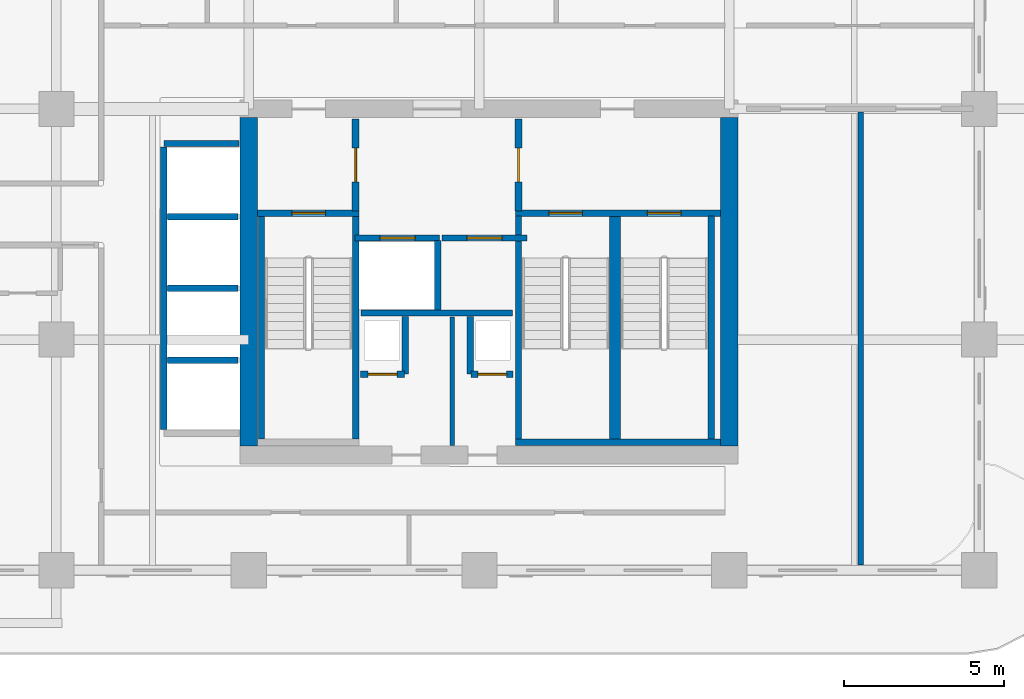
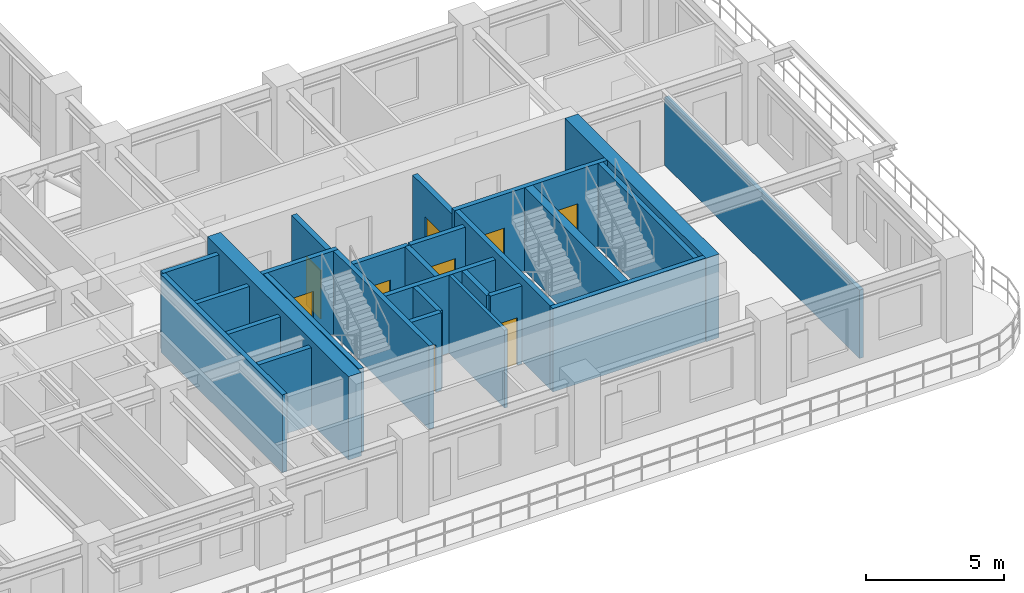
# One storey, part 13 of 21: 27 walls, 9 doors, 9 openings.
"""IFC4 building model written with IfcOpenShell, lengths in metres."""

from ifc_helpers import new_model, si_unit, derived_unit, direction, frame, frame_2d, origin, place, context, subcontext, project, spatial, rectangle, extrude, source, transform, mapped, material, layer, layer_set, type_object, type_shapes, element, fill, save


model = new_model("IFC4")

# Units and contexts
model_context = context("Model", 3, precision=1e-05, world=origin(), true_north=direction((0.0, 1.0)))
body_context = subcontext(model_context, "Body", "Model", "MODEL_VIEW")
ifc_project = project(units=[si_unit("LENGTHUNIT", "METRE"), si_unit("AREAUNIT", "SQUARE_METRE"), si_unit("VOLUMEUNIT", "CUBIC_METRE"), si_unit("PLANEANGLEUNIT", "RADIAN"), si_unit("MASSUNIT", "GRAM", prefix="KILO"), si_unit("THERMODYNAMICTEMPERATUREUNIT", "KELVIN"), si_unit("POWERUNIT", "WATT"), derived_unit("THERMALTRANSMITTANCEUNIT", [(si_unit("POWERUNIT", "WATT"), 1), (si_unit("AREAUNIT", "SQUARE_METRE"), -1), (si_unit("THERMODYNAMICTEMPERATUREUNIT", "KELVIN"), -1)])], contexts=[model_context])

# Site, building, storey
site_placement = place(None, origin())
site = spatial("IfcSite", under=ifc_project, at=site_placement, CompositionType="ELEMENT")
building_placement = place(site_placement, origin())
building = spatial("IfcBuilding", under=site, at=building_placement, Name="Zahravan Archway Hotel and Residences", CompositionType="ELEMENT")
storey_placement = place(building_placement, frame((0.0, 0.0, 69.39990234375)))
storey = spatial("IfcBuildingStorey", under=building, at=storey_placement, Name="L16", CompositionType="ELEMENT", Elevation=69.39990234375)

# Walls
ifc_material_1 = material(Name="Concrete C70/85", Category="concrete")
ifc_layer_1 = layer(ifc_material_1, 0.550048828125, Name="Concrete C70/85", Category="concrete")
ifc_layer_set_1 = layer_set([ifc_layer_1], Name="Concrete C70/85")
wall_type_1 = type_object("IfcWallType", Name="CW-CORE-550", PredefinedType="SHEAR", material=ifc_layer_set_1)
for number, where, z_axis, x_axis, name in (
    (1, (34.800048828125, 3.875, 0.0), (0.0, 0.0, 1.0), (0.0, 1.0, 0.0), "L16 Core A Shear W Wall 550 mm"),
    (2, (49.800048828125, 3.875, 0.0), (0.0, 0.0, 1.0), (0.0, 1.0, 0.0), "L16 Core A Shear E Wall 550 mm"),
):
    element("IfcWall", number, at=place(storey_placement, frame(where, z_axis=z_axis, x_axis=x_axis)), inside=storey, type_object=wall_type_1, Name=name, PredefinedType="SHEAR", context=body_context, shape_type="SweptSolid", body=[
        extrude(rectangle(XDim=10.25, YDim=0.550048828125, at=frame_2d((5.125, 0.0))), origin(), (0.0, 0.0, 1.0), 3.7001953125),
    ])

# Wall, opening, door
ifc_material_2 = material(Name="Fire-Rated Gypsum & Concrete Block", Category="concrete")
ifc_layer_2 = layer(ifc_material_2, 0.219970703125, Name="Fire-Rated Gypsum & Concrete Block", Category="concrete")
ifc_layer_set_2 = layer_set([ifc_layer_2], Name="Fire-Rated Gypsum & Concrete Block")
wall_type_2 = type_object("IfcWallType", Name="PW-COMP-220", PredefinedType="PARTITIONING", material=ifc_layer_set_2)
wall_1_placement = place(storey_placement, frame((38.139892578125, 11.219970703125, 0.0), z_axis=(0.0, 0.0, 1.0), x_axis=(0.0, 1.0, 0.0)))
wall_1 = element("IfcWall", 3, at=wall_1_placement, inside=storey, type_object=wall_type_2, Name="L16 Partition CA-LOBW", PredefinedType="PARTITIONING", context=body_context, shape_type="SweptSolid", body=[
    extrude(rectangle(XDim=2.860107421875, YDim=0.219970703125, at=frame_2d((1.43017578125, 0.0))), origin(), (0.0, 0.0, 1.0), 3.4501953125),
])
opening_1_placement = place(wall_1_placement, frame((0.905029296875, 0.0, 0.0)))
opening_1 = element("IfcOpeningElement", 4, at=opening_1_placement, cuts=wall_1, Name="Opening FD-L2", PredefinedType="OPENING", context=body_context, shape_type="SweptSolid", body=[
    extrude(rectangle(XDim=1.050048828125, YDim=2.14990234375, at=frame_2d((0.52490234375, 1.074951171875))), frame((0.0, 0.1201171875, 0.0), z_axis=(0.0, -1.0, 0.0), x_axis=(1.0, 0.0, 0.0)), (0.0, 0.0, 1.0), 0.239990234375),
])
ifc_material_3 = material(Name="Fire-Rated Painted Steel", Category="steel")
door_type_1 = type_object("IfcDoorType", Name="FD-LOBBY-1100", OperationType="NOTDEFINED", PredefinedType="DOOR", material=ifc_material_3)
shared_shape_1 = source(origin(), body_context, "Body", "SweptSolid", [
    extrude(rectangle(XDim=1.050048828125, YDim=2.14990234375, at=frame_2d((0.52490234375, 1.074951171875))), frame((0.0, 0.02490234375, 0.0), z_axis=(0.0, -1.0, 0.0), x_axis=(1.0, 0.0, 0.0)), (0.0, 0.0, 1.0), 0.050048828125),
])
type_shapes(door_type_1, [shared_shape_1])
door_1_placement = place(opening_1_placement, origin())
door_1 = element("IfcDoor", 5, at=door_1_placement, inside=storey, type_object=door_type_1, Name="L16 Core A West Stair to FSAE Lobby Door", OperationType="SINGLE_SWING_RIGHT", OverallHeight=2.14990234375, OverallWidth=1.050048828125, PredefinedType="DOOR", context=body_context, shape_type="MappedRepresentation", body=[
    mapped(shared_shape_1, transform((0.0, 0.0, 0.0), scale=1.0)),
])
fill(opening_1, door_1)

wall_2_placement = place(storey_placement, frame((43.219970703125, 11.219970703125, 0.0), z_axis=(0.0, 0.0, 1.0), x_axis=(0.0, 1.0, 0.0)))
wall_2 = element("IfcWall", 6, at=wall_2_placement, inside=storey, type_object=wall_type_2, Name="L16 Partition CA-LOBE", PredefinedType="PARTITIONING", context=body_context, shape_type="SweptSolid", body=[
    extrude(rectangle(XDim=2.860107421875, YDim=0.219970703125, at=frame_2d((1.43017578125, 0.0))), origin(), (0.0, 0.0, 1.0), 3.4501953125),
])
opening_2_placement = place(wall_2_placement, frame((0.905029296875, 0.0, 0.0)))
opening_2 = element("IfcOpeningElement", 7, at=opening_2_placement, cuts=wall_2, Name="Opening FD-L2", PredefinedType="OPENING", context=body_context, shape_type="SweptSolid", body=[
    extrude(rectangle(XDim=1.050048828125, YDim=2.14990234375, at=frame_2d((0.52490234375, 1.074951171875))), frame((0.0, 0.1201171875, 0.0), z_axis=(0.0, -1.0, 0.0), x_axis=(1.0, 0.0, 0.0)), (0.0, 0.0, 1.0), 0.239990234375),
])
door_2_placement = place(opening_2_placement, origin())
door_2 = element("IfcDoor", 8, at=door_2_placement, inside=storey, type_object=door_type_1, Name="L16 Core A East Stair to FSAE Lobby Door", OperationType="SINGLE_SWING_LEFT", OverallHeight=2.14990234375, OverallWidth=1.050048828125, PredefinedType="DOOR", context=body_context, shape_type="MappedRepresentation", body=[
    mapped(shared_shape_1, transform((0.0, 0.0, 0.0), scale=1.0)),
])
fill(opening_2, door_2)

# Walls
ifc_layer_3 = layer(ifc_material_2, 0.199951171875, Name="Fire-Rated Gypsum & Concrete Block", Category="concrete")
ifc_layer_set_3 = layer_set([ifc_layer_3], Name="Fire-Rated Gypsum & Concrete Block")
wall_type_3 = type_object("IfcWallType", Name="PW-SHAFT-200", PredefinedType="PARTITIONING", material=ifc_layer_set_3)
wall_3_placement = place(storey_placement, frame((38.300048828125, 8.030029296875, 0.0), z_axis=(0.0, 0.0, 1.0), x_axis=(1.0, 0.0, 0.0)))
element("IfcWall", 9, at=wall_3_placement, inside=storey, type_object=wall_type_3, Name="L16 Partition CA-FLS", PredefinedType="PARTITIONING", context=body_context, shape_type="SweptSolid", body=[
    extrude(rectangle(XDim=4.739990234375, YDim=0.199951171875, at=frame_2d((2.3701171875, 0.0))), origin(), (0.0, 0.0, 1.0), 3.4501953125),
])
wall_4_placement = place(storey_placement, frame((40.699951171875, 8.1201171875, 0.0), z_axis=(0.0, 0.0, 1.0), x_axis=(0.0, 1.0, 0.0)))
element("IfcWall", 10, at=wall_4_placement, inside=storey, type_object=wall_type_3, Name="L16 Partition CA-FLM", PredefinedType="PARTITIONING", context=body_context, shape_type="SweptSolid", body=[
    extrude(rectangle(XDim=2.179931640625, YDim=0.199951171875, at=frame_2d((1.08984375, 0.0))), origin(), (0.0, 0.0, 1.0), 3.4501953125),
])

# Wall, opening, door
wall_5_placement = place(storey_placement, frame((38.2900390625, 6.1201171875, 0.0), z_axis=(0.0, 0.0, 1.0), x_axis=(1.0, 0.0, 0.0)))
wall_5 = element("IfcWall", 11, at=wall_5_placement, inside=storey, type_object=wall_type_3, Name="L16 Partition CA-SMKS", PredefinedType="PARTITIONING", context=body_context, shape_type="SweptSolid", body=[
    extrude(rectangle(XDim=1.3798828125, YDim=0.199951171875, at=frame_2d((0.68994140625, 0.0))), origin(), (0.0, 0.0, 1.0), 3.4501953125),
])
opening_3_placement = place(wall_5_placement, frame((0.239990234375, 0.0, 0.0)))
opening_3 = element("IfcOpeningElement", 12, at=opening_3_placement, cuts=wall_5, Name="Opening FD-R1", PredefinedType="OPENING", context=body_context, shape_type="SweptSolid", body=[
    extrude(rectangle(XDim=0.89990234375, YDim=2.10009765625, at=frame_2d((0.449951171875, 1.050048828125))), frame((0.0, 0.10986328125, 0.0), z_axis=(0.0, -1.0, 0.0), x_axis=(1.0, 0.0, 0.0)), (0.0, 0.0, 1.0), 0.219970703125),
])
door_type_2 = type_object("IfcDoorType", Name="FD-RISER-900", OperationType="NOTDEFINED", PredefinedType="DOOR", material=ifc_material_3)
shared_shape_2 = source(origin(), body_context, "Body", "SweptSolid", [
    extrude(rectangle(XDim=0.89990234375, YDim=2.10009765625, at=frame_2d((0.449951171875, 1.050048828125))), frame((0.0, 0.02490234375, 0.0), z_axis=(0.0, -1.0, 0.0), x_axis=(1.0, 0.0, 0.0)), (0.0, 0.0, 1.0), 0.050048828125),
])
type_shapes(door_type_2, [shared_shape_2])
door_3_placement = place(opening_3_placement, origin())
door_3 = element("IfcDoor", 13, at=door_3_placement, inside=storey, type_object=door_type_2, Name="L16 Smoke Riser Access Door", OperationType="SINGLE_SWING_RIGHT", OverallHeight=2.10009765625, OverallWidth=0.89990234375, PredefinedType="DOOR", context=body_context, shape_type="MappedRepresentation", body=[
    mapped(shared_shape_2, transform((0.0, 0.0, 0.0), scale=1.0)),
])
fill(opening_3, door_3)

# Wall
wall_6_placement = place(storey_placement, frame((39.679931640625, 6.1298828125, 0.0), z_axis=(0.0, 0.0, 1.0), x_axis=(0.0, 1.0, 0.0)))
element("IfcWall", 14, at=wall_6_placement, inside=storey, type_object=wall_type_3, Name="L16 Partition CA-SMKE", PredefinedType="PARTITIONING", context=body_context, shape_type="SweptSolid", body=[
    extrude(rectangle(XDim=1.7900390625, YDim=0.199951171875, at=frame_2d((0.89501953125, 0.0))), origin(), (0.0, 0.0, 1.0), 3.4501953125),
])

# Wall, opening, door
wall_7_placement = place(storey_placement, frame((41.72998046875, 6.1201171875, 0.0), z_axis=(0.0, 0.0, 1.0), x_axis=(1.0, 0.0, 0.0)))
wall_7 = element("IfcWall", 15, at=wall_7_placement, inside=storey, type_object=wall_type_3, Name="L16 Partition CA-MEPS", PredefinedType="PARTITIONING", context=body_context, shape_type="SweptSolid", body=[
    extrude(rectangle(XDim=1.320068359375, YDim=0.199951171875, at=frame_2d((0.66015625, 0.0))), origin(), (0.0, 0.0, 1.0), 3.4501953125),
])
opening_4_placement = place(wall_7_placement, frame((0.219970703125, 0.0, 0.0)))
opening_4 = element("IfcOpeningElement", 16, at=opening_4_placement, cuts=wall_7, Name="Opening FD-R1", PredefinedType="OPENING", context=body_context, shape_type="SweptSolid", body=[
    extrude(rectangle(XDim=0.89990234375, YDim=2.10009765625, at=frame_2d((0.449951171875, 1.050048828125))), frame((0.0, 0.10986328125, 0.0), z_axis=(0.0, -1.0, 0.0), x_axis=(1.0, 0.0, 0.0)), (0.0, 0.0, 1.0), 0.219970703125),
])
door_4_placement = place(opening_4_placement, origin())
door_4 = element("IfcDoor", 17, at=door_4_placement, inside=storey, type_object=door_type_2, Name="L16 MEP Riser Access Door", OperationType="SINGLE_SWING_LEFT", OverallHeight=2.10009765625, OverallWidth=0.89990234375, PredefinedType="DOOR", context=body_context, shape_type="MappedRepresentation", body=[
    mapped(shared_shape_2, transform((0.0, 0.0, 0.0), scale=1.0)),
])
fill(opening_4, door_4)

# Walls
wall_8_placement = place(storey_placement, frame((41.719970703125, 6.1298828125, 0.0), z_axis=(0.0, 0.0, 1.0), x_axis=(0.0, 1.0, 0.0)))
element("IfcWall", 18, at=wall_8_placement, inside=storey, type_object=wall_type_3, Name="L16 Partition CA-MEPW", PredefinedType="PARTITIONING", context=body_context, shape_type="SweptSolid", body=[
    extrude(rectangle(XDim=1.7900390625, YDim=0.199951171875, at=frame_2d((0.89501953125, 0.0))), origin(), (0.0, 0.0, 1.0), 3.4501953125),
])
wall_9_placement = place(storey_placement, frame((32.159912109375, 13.320068359375, 0.0), z_axis=(0.0, 0.0, 1.0), x_axis=(1.0, 0.0, 0.0)))
element("IfcWall", 19, at=wall_9_placement, inside=storey, type_object=wall_type_3, Name="L16 Partition B3-N", PredefinedType="PARTITIONING", context=body_context, shape_type="SweptSolid", body=[
    extrude(rectangle(XDim=2.335205078125, YDim=0.199951171875, at=frame_2d((1.16748046875, 0.0))), origin(), (0.0, 0.0, 1.0), 3.4501953125),
])
wall_10_placement = place(storey_placement, frame((32.14990234375, 4.389892578125, 0.0), z_axis=(0.0, 0.0, 1.0), x_axis=(0.0, 1.0, 0.0)))
element("IfcWall", 20, at=wall_10_placement, inside=storey, type_object=wall_type_3, Name="L16 Partition B3-W", PredefinedType="PARTITIONING", context=body_context, shape_type="SweptSolid", body=[
    extrude(rectangle(XDim=8.820068359375, YDim=0.199951171875, at=frame_2d((4.41015625, 0.0))), origin(), (0.0, 0.0, 1.0), 3.4501953125),
])
for number, where, z_axis, x_axis, name in (
    (21, (32.260009765625, 6.56005859375, 0.0), (0.0, 0.0, 1.0), (1.0, 0.0, 0.0), "L16 Partition B3-D"),
    (22, (32.260009765625, 8.800048828125, 0.0), (0.0, 0.0, 1.0), (1.0, 0.0, 0.0), "L16 Partition B3-D"),
    (23, (32.260009765625, 11.0400390625, 0.0), (0.0, 0.0, 1.0), (1.0, 0.0, 0.0), "L16 Partition B3-D"),
):
    element("IfcWall", number, at=place(storey_placement, frame(where, z_axis=z_axis, x_axis=x_axis)), inside=storey, type_object=wall_type_3, Name=name, PredefinedType="PARTITIONING", context=body_context, shape_type="SweptSolid", body=[
        extrude(rectangle(XDim=2.205078125, YDim=0.199951171875, at=frame_2d((1.1025390625, 0.0))), origin(), (0.0, 0.0, 1.0), 3.4501953125),
    ])

# Wall, opening, door
wall_11_placement = place(storey_placement, frame((38.1201171875, 10.3701171875, 0.0), z_axis=(0.0, 0.0, 1.0), x_axis=(1.0, 0.0, 0.0)))
wall_11 = element("IfcWall", 24, at=wall_11_placement, inside=storey, type_object=wall_type_3, Name="L16 Lift FL-1 Front Wall", PredefinedType="PARTITIONING", context=body_context, shape_type="SweptSolid", body=[
    extrude(rectangle(XDim=2.639892578125, YDim=0.199951171875, at=frame_2d((1.31982421875, 0.0))), origin(), (0.0, 0.0, 1.0), 3.4501953125),
])
opening_5_placement = place(wall_11_placement, frame((0.77001953125, 0.0, 0.0)))
opening_5 = element("IfcOpeningElement", 25, at=opening_5_placement, cuts=wall_11, Name="Opening LD", PredefinedType="OPENING", context=body_context, shape_type="SweptSolid", body=[
    extrude(rectangle(XDim=1.10009765625, YDim=2.199951171875, at=frame_2d((0.550048828125, 1.10009765625))), frame((0.0, 0.10986328125, 0.0), z_axis=(0.0, -1.0, 0.0), x_axis=(1.0, 0.0, 0.0)), (0.0, 0.0, 1.0), 0.219970703125),
])
ifc_material_4 = material(Name="Brushed Stainless Steel", Category="steel")
door_type_3 = type_object("IfcDoorType", Name="DR-LIFT-LD", OperationType="SLIDING_TO_LEFT", PredefinedType="DOOR", material=ifc_material_4)
shared_shape_3 = source(origin(), body_context, "Body", "SweptSolid", [
    extrude(rectangle(XDim=1.10009765625, YDim=2.199951171875, at=frame_2d((0.550048828125, 1.10009765625))), frame((0.0, 0.02490234375, 0.0), z_axis=(0.0, -1.0, 0.0), x_axis=(1.0, 0.0, 0.0)), (0.0, 0.0, 1.0), 0.050048828125),
])
type_shapes(door_type_3, [shared_shape_3])
door_5_placement = place(opening_5_placement, origin())
door_5 = element("IfcDoor", 26, at=door_5_placement, inside=storey, type_object=door_type_3, Name="L16 Lift FL-1 Sliding Landing Door", OperationType="SLIDING_TO_LEFT", OverallHeight=2.199951171875, OverallWidth=1.10009765625, PredefinedType="DOOR", context=body_context, shape_type="MappedRepresentation", body=[
    mapped(shared_shape_3, transform((0.0, 0.0, 0.0), scale=1.0)),
])
fill(opening_5, door_5)

wall_12_placement = place(storey_placement, frame((40.840087890625, 10.3701171875, 0.0), z_axis=(0.0, 0.0, 1.0), x_axis=(1.0, 0.0, 0.0)))
wall_12 = element("IfcWall", 27, at=wall_12_placement, inside=storey, type_object=wall_type_3, Name="L16 Lift FL-2 Front Wall", PredefinedType="PARTITIONING", context=body_context, shape_type="SweptSolid", body=[
    extrude(rectangle(XDim=2.639892578125, YDim=0.199951171875, at=frame_2d((1.31982421875, 0.0))), origin(), (0.0, 0.0, 1.0), 3.4501953125),
])
opening_6_placement = place(wall_12_placement, frame((0.77001953125, 0.0, 0.0)))
opening_6 = element("IfcOpeningElement", 28, at=opening_6_placement, cuts=wall_12, Name="Opening LD", PredefinedType="OPENING", context=body_context, shape_type="SweptSolid", body=[
    extrude(rectangle(XDim=1.10009765625, YDim=2.199951171875, at=frame_2d((0.550048828125, 1.10009765625))), frame((0.0, 0.10986328125, 0.0), z_axis=(0.0, -1.0, 0.0), x_axis=(1.0, 0.0, 0.0)), (0.0, 0.0, 1.0), 0.219970703125),
])
door_6_placement = place(opening_6_placement, origin())
door_6 = element("IfcDoor", 29, at=door_6_placement, inside=storey, type_object=door_type_3, Name="L16 Lift FL-2 Sliding Landing Door", OperationType="SLIDING_TO_LEFT", OverallHeight=2.199951171875, OverallWidth=1.10009765625, PredefinedType="DOOR", context=body_context, shape_type="MappedRepresentation", body=[
    mapped(shared_shape_3, transform((0.0, 0.0, 0.0), scale=1.0)),
])
fill(opening_6, door_6)

# Walls
ifc_material_5 = material(Name="Acoustic Stud Partition")
ifc_layer_4 = layer(ifc_material_5, 0.169921875, Name="Acoustic Stud Partition")
ifc_layer_set_4 = layer_set([ifc_layer_4], Name="Acoustic Stud Partition")
wall_type_4 = type_object("IfcWallType", Name="PW-UNIT-170", PredefinedType="PARTITIONING", material=ifc_layer_set_4)
wall_13_placement = place(storey_placement, frame((53.89990234375, 0.16796875, 0.0), z_axis=(0.0, 0.0, 1.0), x_axis=(0.0, 1.0, 0.0)))
element("IfcWall", 30, at=wall_13_placement, inside=storey, type_object=wall_type_4, Name="L16 Partition EA-EV", PredefinedType="PARTITIONING", context=body_context, shape_type="SweptSolid", body=[
    extrude(rectangle(XDim=14.14208984375, YDim=0.169921875, at=frame_2d((7.071044921875, 0.0))), origin(), (0.0, 0.0, 1.0), 3.03515625),
])
ifc_material_6 = material(Name="Moisture-Resistant Blockwork", Category="masonry")
ifc_layer_5 = layer(ifc_material_6, 0.139892578125, Name="Moisture-Resistant Blockwork", Category="masonry")
ifc_layer_set_5 = layer_set([ifc_layer_5], Name="Moisture-Resistant Blockwork")
wall_type_5 = type_object("IfcWallType", Name="PW-WET-140", PredefinedType="PARTITIONING", material=ifc_layer_set_5)
wall_14_placement = place(storey_placement, frame((41.14990234375, 3.89501953125, 0.0), z_axis=(0.0, 0.0, 1.0), x_axis=(0.0, 1.0, 0.0)))
element("IfcWall", 31, at=wall_14_placement, inside=storey, type_object=wall_type_5, Name="L16 Partition CA-CV2V", PredefinedType="PARTITIONING", context=body_context, shape_type="SweptSolid", body=[
    extrude(rectangle(XDim=4.014892578125, YDim=0.139892578125, at=frame_2d((2.00732421875, 0.0))), origin(), (0.0, 0.0, 1.0), 3.4501953125),
])
ifc_material_7 = material(Name="Concrete C50/60", Category="concrete")
ifc_layer_6 = layer(ifc_material_7, 0.199951171875, Name="Concrete C50/60", Category="concrete")
ifc_layer_set_6 = layer_set([ifc_layer_6], Name="Concrete C50/60")
wall_type_6 = type_object("IfcWallType", Name="SW-STAIR-200", PredefinedType="SHEAR", material=ifc_layer_set_6)
for number, where, z_axis, x_axis, name in (
    (32, (35.199951171875, 4.10009765625, 0.0), (0.0, 0.0, 1.0), (0.0, 1.0, 0.0), "L16 Stairwell RC Wall CA-SA1W"),
    (33, (38.139892578125, 4.10009765625, 0.0), (0.0, 0.0, 1.0), (0.0, 1.0, 0.0), "L16 Stairwell RC Wall CA-SA1E"),
):
    element("IfcWall", number, at=place(storey_placement, frame(where, z_axis=z_axis, x_axis=x_axis)), inside=storey, type_object=wall_type_6, Name=name, PredefinedType="SHEAR", context=body_context, shape_type="SweptSolid", body=[
        extrude(rectangle(XDim=6.949951171875, YDim=0.199951171875, at=frame_2d((3.47509765625, 0.0))), origin(), (0.0, 0.0, 1.0), 3.7001953125),
    ])

# Wall, opening, door
wall_15_placement = place(storey_placement, frame((35.074951171875, 11.14990234375, 0.0), z_axis=(0.0, 0.0, 1.0), x_axis=(1.0, 0.0, 0.0)))
wall_15 = element("IfcWall", 34, at=wall_15_placement, inside=storey, type_object=wall_type_6, Name="L16 Stairwell RC Wall CA-SA1N", PredefinedType="SHEAR", context=body_context, shape_type="SweptSolid", body=[
    extrude(rectangle(XDim=3.1650390625, YDim=0.199951171875, at=frame_2d((1.58251953125, 0.0))), origin(), (0.0, 0.0, 1.0), 3.7001953125),
])
opening_7_placement = place(wall_15_placement, frame((1.070068359375, 0.0, 0.0)))
opening_7 = element("IfcOpeningElement", 35, at=opening_7_placement, cuts=wall_15, Name="Opening FD-S1", PredefinedType="OPENING", context=body_context, shape_type="SweptSolid", body=[
    extrude(rectangle(XDim=1.050048828125, YDim=2.199951171875, at=frame_2d((0.52490234375, 1.10009765625))), frame((0.0, 0.10986328125, 0.0), z_axis=(0.0, -1.0, 0.0), x_axis=(1.0, 0.0, 0.0)), (0.0, 0.0, 1.0), 0.219970703125),
])
door_type_4 = type_object("IfcDoorType", Name="FD-STAIR-1100", OperationType="NOTDEFINED", PredefinedType="DOOR", material=ifc_material_3)
shared_shape_4 = source(origin(), body_context, "Body", "SweptSolid", [
    extrude(rectangle(XDim=1.050048828125, YDim=2.199951171875, at=frame_2d((0.52490234375, 1.10009765625))), frame((0.0, 0.02490234375, 0.0), z_axis=(0.0, -1.0, 0.0), x_axis=(1.0, 0.0, 0.0)), (0.0, 0.0, 1.0), 0.050048828125),
])
type_shapes(door_type_4, [shared_shape_4])
door_7_placement = place(opening_7_placement, origin())
door_7 = element("IfcDoor", 36, at=door_7_placement, inside=storey, type_object=door_type_4, Name="L16 Stair ST-A1 Door", OperationType="SINGLE_SWING_LEFT", OverallHeight=2.199951171875, OverallWidth=1.050048828125, PredefinedType="DOOR", context=body_context, shape_type="MappedRepresentation", body=[
    mapped(shared_shape_4, transform((0.0, 0.0, 0.0), scale=1.0)),
])
fill(opening_7, door_7)

# Walls
wall_16_placement = place(storey_placement, frame((43.1201171875, 4.0, 0.0), z_axis=(0.0, 0.0, 1.0), x_axis=(1.0, 0.0, 0.0)))
element("IfcWall", 37, at=wall_16_placement, inside=storey, type_object=wall_type_6, Name="L16 Stairwell RC Wall CA-SA23S", PredefinedType="SHEAR", context=body_context, shape_type="SweptSolid", body=[
    extrude(rectangle(XDim=6.40478515625, YDim=0.199951171875, at=frame_2d((3.202392578125, 0.0))), origin(), (0.0, 0.0, 1.0), 3.7001953125),
])
for number, where, z_axis, x_axis, name in (
    (38, (43.219970703125, 4.10009765625, 0.0), (0.0, 0.0, 1.0), (0.0, 1.0, 0.0), "L16 Stairwell RC Wall CA-SA2W"),
    (39, (49.239990234375, 4.10009765625, 0.0), (0.0, 0.0, 1.0), (0.0, 1.0, 0.0), "L16 Stairwell RC Wall CA-SA3E"),
):
    element("IfcWall", number, at=place(storey_placement, frame(where, z_axis=z_axis, x_axis=x_axis)), inside=storey, type_object=wall_type_6, Name=name, PredefinedType="SHEAR", context=body_context, shape_type="SweptSolid", body=[
        extrude(rectangle(XDim=6.949951171875, YDim=0.199951171875, at=frame_2d((3.47509765625, 0.0))), origin(), (0.0, 0.0, 1.0), 3.7001953125),
    ])

# Wall, openings, doors
wall_17_placement = place(storey_placement, frame((43.1201171875, 11.14990234375, 0.0), z_axis=(0.0, 0.0, 1.0), x_axis=(1.0, 0.0, 0.0)))
wall_17 = element("IfcWall", 40, at=wall_17_placement, inside=storey, type_object=wall_type_6, Name="L16 Stairwell RC Wall CA-SA23N", PredefinedType="SHEAR", context=body_context, shape_type="SweptSolid", body=[
    extrude(rectangle(XDim=6.40478515625, YDim=0.199951171875, at=frame_2d((3.202392578125, 0.0))), origin(), (0.0, 0.0, 1.0), 3.7001953125),
])
opening_8_placement = place(wall_17_placement, frame((1.044921875, 0.0, 0.0)))
opening_8 = element("IfcOpeningElement", 41, at=opening_8_placement, cuts=wall_17, Name="Opening FD-S1", PredefinedType="OPENING", context=body_context, shape_type="SweptSolid", body=[
    extrude(rectangle(XDim=1.050048828125, YDim=2.199951171875, at=frame_2d((0.52490234375, 1.10009765625))), frame((0.0, 0.10986328125, 0.0), z_axis=(0.0, -1.0, 0.0), x_axis=(1.0, 0.0, 0.0)), (0.0, 0.0, 1.0), 0.219970703125),
])
opening_9_placement = place(wall_17_placement, frame((4.125, 0.0, 0.0)))
opening_9 = element("IfcOpeningElement", 42, at=opening_9_placement, cuts=wall_17, Name="Opening FD-S1", PredefinedType="OPENING", context=body_context, shape_type="SweptSolid", body=[
    extrude(rectangle(XDim=1.050048828125, YDim=2.199951171875, at=frame_2d((0.52490234375, 1.10009765625))), frame((0.0, 0.10986328125, 0.0), z_axis=(0.0, -1.0, 0.0), x_axis=(1.0, 0.0, 0.0)), (0.0, 0.0, 1.0), 0.219970703125),
])
door_8_placement = place(opening_8_placement, origin())
door_8 = element("IfcDoor", 43, at=door_8_placement, inside=storey, type_object=door_type_4, Name="L16 Stair ST-A2 Door", OperationType="SINGLE_SWING_RIGHT", OverallHeight=2.199951171875, OverallWidth=1.050048828125, PredefinedType="DOOR", context=body_context, shape_type="MappedRepresentation", body=[
    mapped(shared_shape_4, transform((0.0, 0.0, 0.0), scale=1.0)),
])
fill(opening_8, door_8)
door_9_placement = place(opening_9_placement, origin())
door_9 = element("IfcDoor", 44, at=door_9_placement, inside=storey, type_object=door_type_4, Name="L16 Stair ST-A3 Door", OperationType="SINGLE_SWING_LEFT", OverallHeight=2.199951171875, OverallWidth=1.050048828125, PredefinedType="DOOR", context=body_context, shape_type="MappedRepresentation", body=[
    mapped(shared_shape_4, transform((0.0, 0.0, 0.0), scale=1.0)),
])
fill(opening_9, door_9)

# Wall
ifc_layer_7 = layer(ifc_material_7, 0.340087890625, Name="Concrete C50/60", Category="concrete")
ifc_layer_set_7 = layer_set([ifc_layer_7], Name="Concrete C50/60")
wall_type_7 = type_object("IfcWallType", Name="SW-STAIR-340", PredefinedType="SHEAR", material=ifc_layer_set_7)
wall_18_placement = place(storey_placement, frame((46.22998046875, 4.10009765625, 0.0), z_axis=(0.0, 0.0, 1.0), x_axis=(0.0, 1.0, 0.0)))
element("IfcWall", 45, at=wall_18_placement, inside=storey, type_object=wall_type_7, Name="L16 Stairwell RC Wall CA-SA23M", PredefinedType="SHEAR", context=body_context, shape_type="SweptSolid", body=[
    extrude(rectangle(XDim=6.949951171875, YDim=0.340087890625, at=frame_2d((3.47509765625, 0.0))), origin(), (0.0, 0.0, 1.0), 3.7001953125),
])

save(model, "model.ifc")
